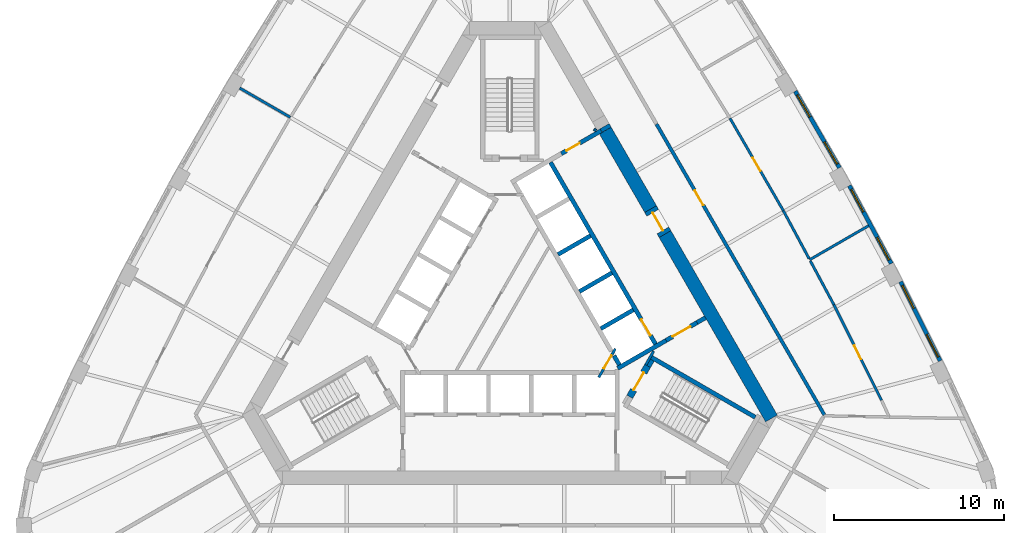
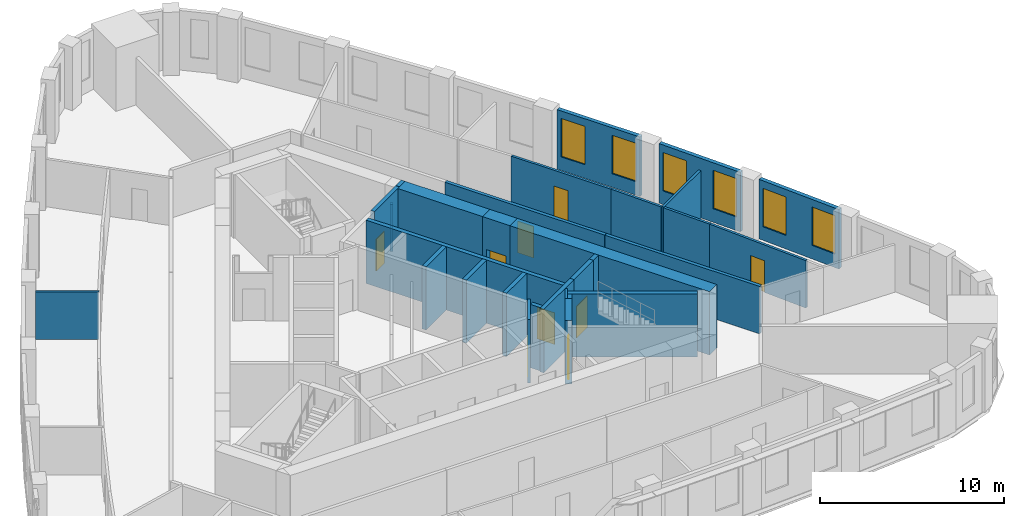
# One storey, part 7 of 10: 30 walls, 9 doors, 6 windows, 15 openings.
"""IFC4 building model written with IfcOpenShell, lengths in metres."""

from ifc_helpers import new_model, si_unit, direction, frame, frame_2d, origin, place, context, subcontext, project, spatial, polyline, rectangle, outline, extrude, material, layer, layer_set, type_object, element, fill, save


model = new_model("IFC4")

# Units and contexts
model_context = context("Model", 3, precision=1e-05, world=origin(), true_north=direction((0.0, 1.0)))
body_context = subcontext(model_context, "Body", "Model", "MODEL_VIEW")
ifc_project = project(units=[si_unit("LENGTHUNIT", "METRE"), si_unit("AREAUNIT", "SQUARE_METRE"), si_unit("VOLUMEUNIT", "CUBIC_METRE"), si_unit("PLANEANGLEUNIT", "RADIAN"), si_unit("MASSUNIT", "GRAM", prefix="KILO")], contexts=[model_context])

# Site, building, storey
site_placement = place(None, origin())
site = spatial("IfcSite", under=ifc_project, at=site_placement, CompositionType="ELEMENT")
building_placement = place(site_placement, origin())
building = spatial("IfcBuilding", under=site, at=building_placement, Name="Mestral Congress Tower", CompositionType="ELEMENT")
storey_placement = place(building_placement, frame((0.0, 0.0, 150.0)))
storey = spatial("IfcBuildingStorey", under=building, at=storey_placement, Name="L35", CompositionType="ELEMENT", Elevation=150.0)

# Walls
ifc_material_1 = material(Name="Fire-rated board partition")
ifc_layer_1 = layer(ifc_material_1, 0.14990234375)
ifc_layer_set_1 = layer_set([ifc_layer_1], Name="Fire-rated board partition")
wall_type_1 = type_object("IfcWallType", Name="Core partition 150", PredefinedType="PARTITIONING", material=ifc_layer_set_1)
wall_1_placement = place(storey_placement, frame((4.97998046875, 10.35791015625, 0.0), z_axis=(0.0, 0.0, 1.0), x_axis=(0.500640202437, 0.86565546709, 0.0)))
element("IfcWall", 1, at=wall_1_placement, inside=storey, type_object=wall_type_1, Name="L35 core wall", PredefinedType="PARTITIONING", context=body_context, shape_type="SweptSolid", body=[
    extrude(rectangle(XDim=0.145751953125, YDim=0.14990234375, at=frame_2d((0.07275390625, 0.0))), origin(), (0.0, 0.0, 1.0), 3.14990234375),
])
ifc_material_2 = material(Name="Concrete C60/75", Category="concrete")
ifc_layer_2 = layer(ifc_material_2, 0.800048828125)
ifc_layer_set_2 = layer_set([ifc_layer_2], Name="Concrete C60/75")
wall_type_2 = type_object("IfcWallType", Name="Core wall RC 800", PredefinedType="SOLIDWALL", material=ifc_layer_set_2)
wall_2_placement = place(storey_placement, frame((9.128662109375, 4.288818359375, 0.0), z_axis=(0.0, 0.0, 1.0), x_axis=(0.499995742806, -0.866027861663, 0.0)))
element("IfcWall", 2, at=wall_2_placement, inside=storey, type_object=wall_type_2, Name="L35 core wall", PredefinedType="SOLIDWALL", context=body_context, shape_type="SweptSolid", body=[
    extrude(rectangle(XDim=12.52734375, YDim=0.800048828125, at=frame_2d((6.263671875, 0.0))), origin(), (0.0, 0.0, 1.0), 4.199951171875),
])
wall_3_placement = place(storey_placement, frame((5.614501953125, 10.37548828125, 0.0), z_axis=(0.0, 0.0, 1.0), x_axis=(0.500002746266, -0.866023818221, 0.0)))
element("IfcWall", 3, at=wall_3_placement, inside=storey, type_object=wall_type_2, Name="L35 core wall", PredefinedType="SOLIDWALL", context=body_context, shape_type="SweptSolid", body=[
    extrude(rectangle(XDim=5.328125, YDim=0.800048828125, at=frame_2d((2.6640625, 0.0))), origin(), (0.0, 0.0, 1.0), 4.199951171875),
])
wall_4_placement = place(storey_placement, origin())
element("IfcWall", 4, at=wall_4_placement, inside=storey, type_object=wall_type_2, Name="L35 core wall", PredefinedType="SOLIDWALL", context=body_context, shape_type="SweptSolid", body=[
    extrude(outline(polyline([(5.431640625, 10.272216796875), (5.3076171875, 10.48681640625), (5.8359375, 10.7919921875), (5.9599609375, 10.5771484375), (5.431640625, 10.272216796875)])), origin(), (0.0, 0.0, 1.0), 4.199951171875),
])

# Wall, opening, door
wall_5_placement = place(storey_placement, frame((8.278564453125, 5.760986328125, 0.0), z_axis=(0.0, 0.0, 1.0), x_axis=(0.500062241894, -0.865989465428, 0.0)))
wall_5 = element("IfcWall", 5, at=wall_5_placement, inside=storey, type_object=wall_type_2, Name="L35 door wall", PredefinedType="SOLIDWALL", context=body_context, shape_type="SweptSolid", body=[
    extrude(rectangle(XDim=1.699951171875, YDim=0.800048828125, at=frame_2d((0.85009765625, 0.0))), origin(), (0.0, 0.0, 1.0), 4.199951171875),
])
opening_1_placement = place(wall_5_placement, frame((0.25, 0.0, 0.0)))
opening_1 = element("IfcOpeningElement", 6, at=opening_1_placement, cuts=wall_5, Name="Opening XDL", PredefinedType="OPENING", context=body_context, shape_type="SweptSolid", body=[
    extrude(rectangle(XDim=1.199951171875, YDim=2.10009765625, at=frame_2d((0.60009765625, 1.050048828125))), frame((0.0, 0.409912109375, 0.0), z_axis=(0.0, -1.0, 0.0), x_axis=(1.0, 0.0, 0.0)), (0.0, 0.0, 1.0), 0.820068359375),
])
ifc_material_3 = material(Name="Fire-rated steel door set", Category="steel")
door_type_1 = type_object("IfcDoorType", Name="Core door XD 1200x2100", OperationType="SINGLE_SWING_LEFT", PredefinedType="DOOR", material=ifc_material_3)
door_1_placement = place(opening_1_placement, origin())
door_1 = element("IfcDoor", 7, at=door_1_placement, inside=storey, type_object=door_type_1, Name="Door XDL", OperationType="SINGLE_SWING_LEFT", OverallHeight=2.10009765625, OverallWidth=1.199951171875, PredefinedType="DOOR", context=body_context, shape_type="SweptSolid", body=[
    extrude(rectangle(XDim=1.199951171875, YDim=2.10009765625, at=frame_2d((0.60009765625, 1.050048828125))), frame((0.0, 0.02490234375, 0.0), z_axis=(0.0, -1.0, 0.0), x_axis=(1.0, 0.0, 0.0)), (0.0, 0.0, 1.0), 0.050048828125),
])
fill(opening_1, door_1)

# Wall, openings, windows
ifc_material_4 = material(Name="Precast concrete C40/50 with limestone facing", Category="masonry")
ifc_layer_3 = layer(ifc_material_4, 0.239990234375)
ifc_layer_set_3 = layer_set([ifc_layer_3], Name="Precast concrete C40/50 with limestone facing")
wall_type_3 = type_object("IfcWallType", Name="Facade stone wall 240", PredefinedType="SOLIDWALL", material=ifc_layer_set_3)
wall_6_placement = place(storey_placement, frame((25.31591796875, -3.17138671875, 0.0), z_axis=(0.0, 0.0, 1.0), x_axis=(-0.446256171312, 0.8949052629, 0.0)))
wall_6 = element("IfcWall", 8, at=wall_6_placement, inside=storey, type_object=wall_type_3, Name="Facade wall F1-01", PredefinedType="SOLIDWALL", context=body_context, shape_type="SweptSolid", body=[
    extrude(rectangle(XDim=5.203369140625, YDim=0.239990234375, at=frame_2d((2.6015625, 0.0))), origin(), (0.0, 0.0, 1.0), 3.949951171875),
])
opening_2_placement = place(wall_6_placement, frame((0.248291015625, 0.0, 0.89990234375)))
opening_2 = element("IfcOpeningElement", 9, at=opening_2_placement, cuts=wall_6, Name="Opening W4", PredefinedType="OPENING", context=body_context, shape_type="SweptSolid", body=[
    extrude(rectangle(XDim=1.5, YDim=2.550048828125, at=frame_2d((0.75, 1.27490234375))), frame((0.0, 0.1298828125, 0.0), z_axis=(0.0, -1.0, 0.0), x_axis=(1.0, 0.0, 0.0)), (0.0, 0.0, 1.0), 0.260009765625),
])
opening_3_placement = place(wall_6_placement, frame((3.455078125, 0.0, 0.89990234375)))
opening_3 = element("IfcOpeningElement", 10, at=opening_3_placement, cuts=wall_6, Name="Opening W4", PredefinedType="OPENING", context=body_context, shape_type="SweptSolid", body=[
    extrude(rectangle(XDim=1.5, YDim=2.550048828125, at=frame_2d((0.75, 1.27490234375))), frame((0.0, 0.1298828125, 0.0), z_axis=(0.0, -1.0, 0.0), x_axis=(1.0, 0.0, 0.0)), (0.0, 0.0, 1.0), 0.260009765625),
])
ifc_material_5 = material(Name="Clear low-emissivity double glazing", Category="glass")
window_type = type_object("IfcWindowType", Name="Facade punched window 1500 x 2550 sill 900", PartitioningType="SINGLE_PANEL", PredefinedType="WINDOW", material=ifc_material_5)
window_1_placement = place(opening_2_placement, origin())
window_1 = element("IfcWindow", 11, at=window_1_placement, inside=storey, type_object=window_type, Name="Window F1-01a", OverallHeight=2.550048828125, OverallWidth=1.5, PartitioningType="SINGLE_PANEL", PredefinedType="WINDOW", context=body_context, shape_type="SweptSolid", body=[
    extrude(rectangle(XDim=1.5, YDim=2.550048828125, at=frame_2d((0.75, 1.27490234375))), frame((0.0, 0.0400390625, 0.0), z_axis=(0.0, -1.0, 0.0), x_axis=(1.0, 0.0, 0.0)), (0.0, 0.0, 1.0), 0.06005859375),
])
fill(opening_2, window_1)
window_2_placement = place(opening_3_placement, origin())
window_2 = element("IfcWindow", 12, at=window_2_placement, inside=storey, type_object=window_type, Name="Window F1-01b", OverallHeight=2.550048828125, OverallWidth=1.5, PartitioningType="SINGLE_PANEL", PredefinedType="WINDOW", context=body_context, shape_type="SweptSolid", body=[
    extrude(rectangle(XDim=1.5, YDim=2.550048828125, at=frame_2d((0.75, 1.27490234375))), frame((0.0, 0.0400390625, 0.0), z_axis=(0.0, -1.0, 0.0), x_axis=(1.0, 0.0, 0.0)), (0.0, 0.0, 1.0), 0.06005859375),
])
fill(opening_3, window_2)

wall_7_placement = place(storey_placement, frame((22.43994140625, 2.554931640625, 0.0), z_axis=(0.0, 0.0, 1.0), x_axis=(-0.473349833294, 0.880874528704, 0.0)))
wall_7 = element("IfcWall", 13, at=wall_7_placement, inside=storey, type_object=wall_type_3, Name="Facade wall F1-02", PredefinedType="SOLIDWALL", context=body_context, shape_type="SweptSolid", body=[
    extrude(rectangle(XDim=5.20361328125, YDim=0.239990234375, at=frame_2d((2.601806640625, 0.0))), origin(), (0.0, 0.0, 1.0), 3.949951171875),
])
opening_4_placement = place(wall_7_placement, frame((0.248291015625, 0.0, 0.89990234375)))
opening_4 = element("IfcOpeningElement", 14, at=opening_4_placement, cuts=wall_7, Name="Opening W4", PredefinedType="OPENING", context=body_context, shape_type="SweptSolid", body=[
    extrude(rectangle(XDim=1.5, YDim=2.550048828125, at=frame_2d((0.75, 1.27490234375))), frame((0.0, 0.1298828125, 0.0), z_axis=(0.0, -1.0, 0.0), x_axis=(1.0, 0.0, 0.0)), (0.0, 0.0, 1.0), 0.260009765625),
])
opening_5_placement = place(wall_7_placement, frame((3.455078125, 0.0, 0.89990234375)))
opening_5 = element("IfcOpeningElement", 15, at=opening_5_placement, cuts=wall_7, Name="Opening W4", PredefinedType="OPENING", context=body_context, shape_type="SweptSolid", body=[
    extrude(rectangle(XDim=1.5, YDim=2.550048828125, at=frame_2d((0.75, 1.27490234375))), frame((0.0, 0.1298828125, 0.0), z_axis=(0.0, -1.0, 0.0), x_axis=(1.0, 0.0, 0.0)), (0.0, 0.0, 1.0), 0.260009765625),
])
window_3_placement = place(opening_4_placement, origin())
window_3 = element("IfcWindow", 16, at=window_3_placement, inside=storey, type_object=window_type, Name="Window F1-02a", OverallHeight=2.550048828125, OverallWidth=1.5, PartitioningType="SINGLE_PANEL", PredefinedType="WINDOW", context=body_context, shape_type="SweptSolid", body=[
    extrude(rectangle(XDim=1.5, YDim=2.550048828125, at=frame_2d((0.75, 1.27490234375))), frame((0.0, 0.0400390625, 0.0), z_axis=(0.0, -1.0, 0.0), x_axis=(1.0, 0.0, 0.0)), (0.0, 0.0, 1.0), 0.06005859375),
])
fill(opening_4, window_3)
window_4_placement = place(opening_5_placement, origin())
window_4 = element("IfcWindow", 17, at=window_4_placement, inside=storey, type_object=window_type, Name="Window F1-02b", OverallHeight=2.550048828125, OverallWidth=1.5, PartitioningType="SINGLE_PANEL", PredefinedType="WINDOW", context=body_context, shape_type="SweptSolid", body=[
    extrude(rectangle(XDim=1.5, YDim=2.550048828125, at=frame_2d((0.75, 1.27490234375))), frame((0.0, 0.0400390625, 0.0), z_axis=(0.0, -1.0, 0.0), x_axis=(1.0, 0.0, 0.0)), (0.0, 0.0, 1.0), 0.06005859375),
])
fill(opening_5, window_4)

wall_8_placement = place(storey_placement, frame((19.390625, 8.19091796875, 0.0), z_axis=(0.0, 0.0, 1.0), x_axis=(-0.500009456303, 0.866019944116, 0.0)))
wall_8 = element("IfcWall", 18, at=wall_8_placement, inside=storey, type_object=wall_type_3, Name="Facade wall F1-03", PredefinedType="SOLIDWALL", context=body_context, shape_type="SweptSolid", body=[
    extrude(rectangle(XDim=5.20361328125, YDim=0.239990234375, at=frame_2d((2.601806640625, 0.0))), origin(), (0.0, 0.0, 1.0), 3.949951171875),
])
opening_6_placement = place(wall_8_placement, frame((0.248291015625, 0.0, 0.89990234375)))
opening_6 = element("IfcOpeningElement", 19, at=opening_6_placement, cuts=wall_8, Name="Opening W4", PredefinedType="OPENING", context=body_context, shape_type="SweptSolid", body=[
    extrude(rectangle(XDim=1.5, YDim=2.550048828125, at=frame_2d((0.75, 1.27490234375))), frame((0.0, 0.1298828125, 0.0), z_axis=(0.0, -1.0, 0.0), x_axis=(1.0, 0.0, 0.0)), (0.0, 0.0, 1.0), 0.260009765625),
])
opening_7_placement = place(wall_8_placement, frame((3.455078125, 0.0, 0.89990234375)))
opening_7 = element("IfcOpeningElement", 20, at=opening_7_placement, cuts=wall_8, Name="Opening W4", PredefinedType="OPENING", context=body_context, shape_type="SweptSolid", body=[
    extrude(rectangle(XDim=1.5, YDim=2.550048828125, at=frame_2d((0.75, 1.27490234375))), frame((0.0, 0.1298828125, 0.0), z_axis=(0.0, -1.0, 0.0), x_axis=(1.0, 0.0, 0.0)), (0.0, 0.0, 1.0), 0.260009765625),
])
window_5_placement = place(opening_6_placement, origin())
window_5 = element("IfcWindow", 21, at=window_5_placement, inside=storey, type_object=window_type, Name="Window F1-03a", OverallHeight=2.550048828125, OverallWidth=1.5, PartitioningType="SINGLE_PANEL", PredefinedType="WINDOW", context=body_context, shape_type="SweptSolid", body=[
    extrude(rectangle(XDim=1.5, YDim=2.550048828125, at=frame_2d((0.75, 1.27490234375))), frame((0.0, 0.0400390625, 0.0), z_axis=(0.0, -1.0, 0.0), x_axis=(1.0, 0.0, 0.0)), (0.0, 0.0, 1.0), 0.06005859375),
])
fill(opening_6, window_5)
window_6_placement = place(opening_7_placement, origin())
window_6 = element("IfcWindow", 22, at=window_6_placement, inside=storey, type_object=window_type, Name="Window F1-03b", OverallHeight=2.550048828125, OverallWidth=1.5, PartitioningType="SINGLE_PANEL", PredefinedType="WINDOW", context=body_context, shape_type="SweptSolid", body=[
    extrude(rectangle(XDim=1.5, YDim=2.550048828125, at=frame_2d((0.75, 1.27490234375))), frame((0.0, 0.0400390625, 0.0), z_axis=(0.0, -1.0, 0.0), x_axis=(1.0, 0.0, 0.0)), (0.0, 0.0, 1.0), 0.06005859375),
])
fill(opening_7, window_6)

# Wall
ifc_material_6 = material(Name="Plasterboard partition on steel studs", Category="steel")
ifc_layer_4 = layer(ifc_material_6, 0.14990234375)
ifc_layer_set_4 = layer_set([ifc_layer_4], Name="Plasterboard partition on steel studs")
wall_type_4 = type_object("IfcWallType", Name="Office partition 150", PredefinedType="PARTITIONING", material=ifc_layer_set_4)
wall_9_placement = place(storey_placement, frame((17.64111328125, 2.78125, 0.0), z_axis=(0.0, 0.0, 1.0), x_axis=(0.866053520969, 0.499951296445, 0.0)))
element("IfcWall", 23, at=wall_9_placement, inside=storey, type_object=wall_type_4, Name="Partition", PredefinedType="PARTITIONING", context=body_context, shape_type="SweptSolid", body=[
    extrude(rectangle(XDim=4.001953125, YDim=0.14990234375, at=frame_2d((2.0009765625, 0.0))), origin(), (0.0, 0.0, 1.0), 3.14990234375),
])

# Wall, opening, door
wall_10_placement = place(storey_placement, frame((19.066162109375, 0.12939453125, 0.0), z_axis=(0.0, 0.0, 1.0), x_axis=(0.446202922071, -0.89493181435, 0.0)))
wall_10 = element("IfcWall", 24, at=wall_10_placement, inside=storey, type_object=wall_type_4, Name="Partition", PredefinedType="PARTITIONING", context=body_context, shape_type="SweptSolid", body=[
    extrude(rectangle(XDim=6.282470703125, YDim=0.14990234375, at=frame_2d((3.14111328125, 0.0))), origin(), (0.0, 0.0, 1.0), 3.14990234375),
])
opening_8_placement = place(wall_10_placement, frame((2.6826171875, 0.0, 0.0)))
opening_8 = element("IfcOpeningElement", 25, at=opening_8_placement, cuts=wall_10, Name="Opening O01-008", PredefinedType="OPENING", context=body_context, shape_type="SweptSolid", body=[
    extrude(rectangle(XDim=0.89990234375, YDim=2.10009765625, at=frame_2d((0.449951171875, 1.050048828125))), frame((0.0, 0.0849609375, 0.0), z_axis=(0.0, -1.0, 0.0), x_axis=(1.0, 0.0, 0.0)), (0.0, 0.0, 1.0), 0.169921875),
])
ifc_material_7 = material(Name="Timber door set", Category="wood")
door_type_2 = type_object("IfcDoorType", Name="Office door 900x2100", OperationType="SINGLE_SWING_LEFT", PredefinedType="DOOR", material=ifc_material_7)
door_2_placement = place(opening_8_placement, origin())
door_2 = element("IfcDoor", 26, at=door_2_placement, inside=storey, type_object=door_type_2, Name="Door O01-008", OperationType="SINGLE_SWING_LEFT", OverallHeight=2.10009765625, OverallWidth=0.89990234375, PredefinedType="DOOR", context=body_context, shape_type="SweptSolid", body=[
    extrude(rectangle(XDim=0.89990234375, YDim=2.10009765625, at=frame_2d((0.449951171875, 1.050048828125))), frame((0.0, 0.02490234375, 0.0), z_axis=(0.0, -1.0, 0.0), x_axis=(1.0, 0.0, 0.0)), (0.0, 0.0, 1.0), 0.050048828125),
])
fill(opening_8, door_2)

# Walls
wall_11_placement = place(storey_placement, frame((19.066162109375, 0.12939453125, 0.0), z_axis=(0.0, 0.0, 1.0), x_axis=(-0.473335829303, 0.880882053795, 0.0)))
element("IfcWall", 27, at=wall_11_placement, inside=storey, type_object=wall_type_4, Name="Partition", PredefinedType="PARTITIONING", context=body_context, shape_type="SweptSolid", body=[
    extrude(rectangle(XDim=2.935302734375, YDim=0.14990234375, at=frame_2d((1.4677734375, 0.0))), origin(), (0.0, 0.0, 1.0), 3.14990234375),
])
wall_12_placement = place(storey_placement, frame((17.605712890625, 2.847412109375, 0.0), z_axis=(0.0, 0.0, 1.0), x_axis=(-0.473348321673, 0.880875340993, 0.0)))
element("IfcWall", 28, at=wall_12_placement, inside=storey, type_object=wall_type_4, Name="Partition", PredefinedType="PARTITIONING", context=body_context, shape_type="SweptSolid", body=[
    extrude(rectangle(XDim=3.197265625, YDim=0.14990234375, at=frame_2d((1.5986328125, 0.0))), origin(), (0.0, 0.0, 1.0), 3.14990234375),
])

# Wall, opening, door
wall_13_placement = place(storey_placement, frame((12.951171875, 11.1044921875, 0.0), z_axis=(0.0, 0.0, 1.0), x_axis=(0.499992691614, -0.866029623242, 0.0)))
wall_13 = element("IfcWall", 29, at=wall_13_placement, inside=storey, type_object=wall_type_4, Name="Partition", PredefinedType="PARTITIONING", context=body_context, shape_type="SweptSolid", body=[
    extrude(rectangle(XDim=6.2822265625, YDim=0.14990234375, at=frame_2d((3.14111328125, 0.0))), origin(), (0.0, 0.0, 1.0), 3.14990234375),
])
opening_9_placement = place(wall_13_placement, frame((2.6826171875, 0.0, 0.0)))
opening_9 = element("IfcOpeningElement", 30, at=opening_9_placement, cuts=wall_13, Name="Opening O01-009", PredefinedType="OPENING", context=body_context, shape_type="SweptSolid", body=[
    extrude(rectangle(XDim=0.89990234375, YDim=2.10009765625, at=frame_2d((0.449951171875, 1.050048828125))), frame((0.0, 0.0849609375, 0.0), z_axis=(0.0, -1.0, 0.0), x_axis=(1.0, 0.0, 0.0)), (0.0, 0.0, 1.0), 0.169921875),
])
door_3_placement = place(opening_9_placement, origin())
door_3 = element("IfcDoor", 31, at=door_3_placement, inside=storey, type_object=door_type_2, Name="Door O01-009", OperationType="SINGLE_SWING_LEFT", OverallHeight=2.10009765625, OverallWidth=0.89990234375, PredefinedType="DOOR", context=body_context, shape_type="SweptSolid", body=[
    extrude(rectangle(XDim=0.89990234375, YDim=2.10009765625, at=frame_2d((0.449951171875, 1.050048828125))), frame((0.0, 0.02490234375, 0.0), z_axis=(0.0, -1.0, 0.0), x_axis=(1.0, 0.0, 0.0)), (0.0, 0.0, 1.0), 0.050048828125),
])
fill(opening_9, door_3)

# Wall
wall_14_placement = place(storey_placement, frame((-12.91650390625, 11.16015625, 0.0), z_axis=(0.0, 0.0, 1.0), x_axis=(-0.866039125629, 0.499976232315, 0.0)))
element("IfcWall", 32, at=wall_14_placement, inside=storey, type_object=wall_type_4, Name="Partition", PredefinedType="PARTITIONING", context=body_context, shape_type="SweptSolid", body=[
    extrude(rectangle(XDim=3.442138671875, YDim=0.14990234375, at=frame_2d((1.72119140625, 0.0))), origin(), (0.0, 0.0, 1.0), 3.14990234375),
])

# Wall, opening, door
ifc_material_8 = material(Name="Dense masonry wall, plastered", Category="masonry")
ifc_layer_5 = layer(ifc_material_8, 0.199951171875)
ifc_layer_set_5 = layer_set([ifc_layer_5], Name="Dense masonry wall, plastered")
wall_type_5 = type_object("IfcWallType", Name="Office tenancy wall 200", PredefinedType="PARTITIONING", material=ifc_layer_set_5)
wall_15_placement = place(storey_placement, frame((13.63037109375, 2.09130859375, 0.0), z_axis=(0.0, 0.0, 1.0), x_axis=(-0.499990634175, 0.866030811078, 0.0)))
wall_15 = element("IfcWall", 33, at=wall_15_placement, inside=storey, type_object=wall_type_5, Name="Tenancy wall", PredefinedType="PARTITIONING", context=body_context, shape_type="SweptSolid", body=[
    extrude(rectangle(XDim=10.008056640625, YDim=0.199951171875, at=frame_2d((5.00390625, 0.0))), origin(), (0.0, 0.0, 1.0), 3.14990234375),
])
opening_10_placement = place(wall_15_placement, frame((4.5, 0.0, 0.0)))
opening_10 = element("IfcOpeningElement", 34, at=opening_10_placement, cuts=wall_15, Name="Opening O01-011", PredefinedType="OPENING", context=body_context, shape_type="SweptSolid", body=[
    extrude(rectangle(XDim=1.0, YDim=2.10009765625, at=frame_2d((0.5, 1.050048828125))), frame((0.0, 0.10986328125, 0.0), z_axis=(0.0, -1.0, 0.0), x_axis=(1.0, 0.0, 0.0)), (0.0, 0.0, 1.0), 0.219970703125),
])
ifc_material_9 = material(Name="Fire-rated timber door set", Category="wood")
door_type_3 = type_object("IfcDoorType", Name="Office tenancy entrance door 1000x2100", OperationType="SINGLE_SWING_LEFT", PredefinedType="DOOR", material=ifc_material_9)
door_4_placement = place(opening_10_placement, origin())
door_4 = element("IfcDoor", 35, at=door_4_placement, inside=storey, type_object=door_type_3, Name="Door O01-011", OperationType="SINGLE_SWING_LEFT", OverallHeight=2.10009765625, OverallWidth=1.0, PredefinedType="DOOR", context=body_context, shape_type="SweptSolid", body=[
    extrude(rectangle(XDim=1.0, YDim=2.10009765625, at=frame_2d((0.5, 1.050048828125))), frame((0.0, 0.02490234375, 0.0), z_axis=(0.0, -1.0, 0.0), x_axis=(1.0, 0.0, 0.0)), (0.0, 0.0, 1.0), 0.050048828125),
])
fill(opening_10, door_4)

# Walls
wall_16_placement = place(storey_placement, frame((18.504150390625, -6.35009765625, 0.0), z_axis=(0.0, 0.0, 1.0), x_axis=(-0.499995029582, 0.866028273438, 0.0)))
element("IfcWall", 36, at=wall_16_placement, inside=storey, type_object=wall_type_5, Name="Tenancy wall", PredefinedType="PARTITIONING", context=body_context, shape_type="SweptSolid", body=[
    extrude(rectangle(XDim=9.71728515625, YDim=0.199951171875, at=frame_2d((4.858642578125, 0.0))), origin(), (0.0, 0.0, 1.0), 3.14990234375),
])
ifc_layer_6 = layer(ifc_material_2, 0.25)
ifc_layer_set_6 = layer_set([ifc_layer_6], Name="Concrete C60/75")
wall_type_6 = type_object("IfcWallType", Name="Shaft wall RC 250", PredefinedType="SOLIDWALL", material=ifc_layer_set_6)
wall_17_placement = place(storey_placement, frame((9.190185546875, -1.96875, 0.0), z_axis=(0.0, 0.0, 1.0), x_axis=(-0.866057109641, -0.499945079824, 0.0)))
element("IfcWall", 37, at=wall_17_placement, inside=storey, type_object=wall_type_6, Name="L35 core wall", PredefinedType="SOLIDWALL", context=body_context, shape_type="SweptSolid", body=[
    extrude(rectangle(XDim=3.290771484375, YDim=0.25, at=frame_2d((1.6455078125, 0.0))), origin(), (0.0, 0.0, 1.0), 4.199951171875),
])
wall_18_placement = place(storey_placement, frame((6.1298828125, -2.867431640625, 0.0), z_axis=(0.0, 0.0, 1.0), x_axis=(0.500160776593, -0.865932559475, 0.0)))
element("IfcWall", 38, at=wall_18_placement, inside=storey, type_object=wall_type_6, Name="L35 core wall", PredefinedType="SOLIDWALL", context=body_context, shape_type="SweptSolid", body=[
    extrude(rectangle(XDim=0.626708984375, YDim=0.25, at=frame_2d((0.3134765625, 0.0))), origin(), (0.0, 0.0, 1.0), 4.199951171875),
])
wall_19_placement = place(storey_placement, frame((11.507080078125, -0.631103515625, 0.0), z_axis=(0.0, 0.0, 1.0), x_axis=(-0.866093731455, -0.499881634324, 0.0)))
element("IfcWall", 39, at=wall_19_placement, inside=storey, type_object=wall_type_6, Name="L35 core wall", PredefinedType="SOLIDWALL", context=body_context, shape_type="SweptSolid", body=[
    extrude(rectangle(XDim=0.575439453125, YDim=0.25, at=frame_2d((0.28759765625, 0.0))), origin(), (0.0, 0.0, 1.0), 4.199951171875),
])
for number, where, z_axis, x_axis, name in (
    (40, (2.833984375, 3.091064453125, 0.0), (0.0, 0.0, 1.0), (0.866008176907, 0.50002983664, 0.0), "L35 core wall"),
    (41, (4.093994140625, 0.90869140625, 0.0), (0.0, 0.0, 1.0), (0.866008176907, 0.50002983664, 0.0), "L35 core wall"),
    (42, (5.35400390625, -1.273681640625, 0.0), (0.0, 0.0, 1.0), (0.866008176907, 0.50002983664, 0.0), "L35 core wall"),
):
    element("IfcWall", number, at=place(storey_placement, frame(where, z_axis=z_axis, x_axis=x_axis)), inside=storey, type_object=wall_type_6, Name=name, PredefinedType="SOLIDWALL", context=body_context, shape_type="SweptSolid", body=[
        extrude(rectangle(XDim=2.199951171875, YDim=0.25, at=frame_2d((1.10009765625, 0.0))), origin(), (0.0, 0.0, 1.0), 4.199951171875),
    ])

# Wall, opening, door
wall_20_placement = place(storey_placement, frame((8.565185546875, -2.185302734375, 0.0), z_axis=(0.0, 0.0, 1.0), x_axis=(-0.499997954832, 0.866026584559, 0.0)))
wall_20 = element("IfcWall", 43, at=wall_20_placement, inside=storey, type_object=wall_type_6, Name="L35 door wall", PredefinedType="SOLIDWALL", context=body_context, shape_type="SweptSolid", body=[
    extrude(rectangle(XDim=12.35009765625, YDim=0.25, at=frame_2d((6.175048828125, 0.0))), origin(), (0.0, 0.0, 1.0), 4.199951171875),
])
opening_11_placement = place(wall_20_placement, frame((0.5849609375, 0.0, 0.0)))
opening_11 = element("IfcOpeningElement", 44, at=opening_11_placement, cuts=wall_20, Name="Opening LD-NEB1", PredefinedType="OPENING", context=body_context, shape_type="SweptSolid", body=[
    extrude(rectangle(XDim=1.10009765625, YDim=2.10009765625, at=frame_2d((0.550048828125, 1.050048828125))), frame((0.0, 0.135009765625, 0.0), z_axis=(0.0, -1.0, 0.0), x_axis=(1.0, 0.0, 0.0)), (0.0, 0.0, 1.0), 0.27001953125),
])
door_type_4 = type_object("IfcDoorType", Name="Core door LD 1100x2100", OperationType="DOUBLE_DOOR_SLIDING", PredefinedType="DOOR", material=ifc_material_3)
door_5_placement = place(opening_11_placement, origin())
door_5 = element("IfcDoor", 45, at=door_5_placement, inside=storey, type_object=door_type_4, Name="Door LD-NEB1", OperationType="DOUBLE_DOOR_SLIDING", OverallHeight=2.10009765625, OverallWidth=1.10009765625, PredefinedType="DOOR", context=body_context, shape_type="SweptSolid", body=[
    extrude(rectangle(XDim=1.10009765625, YDim=2.10009765625, at=frame_2d((0.550048828125, 1.050048828125))), frame((0.0, 0.02490234375, 0.0), z_axis=(0.0, -1.0, 0.0), x_axis=(1.0, 0.0, 0.0)), (0.0, 0.0, 1.0), 0.050048828125),
])
fill(opening_11, door_5)

wall_21_placement = place(storey_placement, frame((5.3662109375, 10.372802734375, 0.0), z_axis=(0.0, 0.0, 1.0), x_axis=(-0.866019956843, -0.50000943426, 0.0)))
wall_21 = element("IfcWall", 46, at=wall_21_placement, inside=storey, type_object=wall_type_6, Name="L35 door wall", PredefinedType="SOLIDWALL", context=body_context, shape_type="SweptSolid", body=[
    extrude(rectangle(XDim=2.7001953125, YDim=0.25, at=frame_2d((1.35009765625, 0.0))), origin(), (0.0, 0.0, 1.0), 4.199951171875),
])
opening_12_placement = place(wall_21_placement, frame((1.449951171875, 0.0, 0.0)))
opening_12 = element("IfcOpeningElement", 47, at=opening_12_placement, cuts=wall_21, Name="Opening TD2", PredefinedType="OPENING", context=body_context, shape_type="SweptSolid", body=[
    extrude(rectangle(XDim=0.89990234375, YDim=2.10009765625, at=frame_2d((0.449951171875, 1.050048828125))), frame((0.0, 0.135009765625, 0.0), z_axis=(0.0, -1.0, 0.0), x_axis=(1.0, 0.0, 0.0)), (0.0, 0.0, 1.0), 0.27001953125),
])
door_type_5 = type_object("IfcDoorType", Name="Core door SR 900x2100", OperationType="SINGLE_SWING_LEFT", PredefinedType="DOOR", material=ifc_material_3)
door_6_placement = place(opening_12_placement, origin())
door_6 = element("IfcDoor", 48, at=door_6_placement, inside=storey, type_object=door_type_5, Name="Door TD2", OperationType="SINGLE_SWING_LEFT", OverallHeight=2.10009765625, OverallWidth=0.89990234375, PredefinedType="DOOR", context=body_context, shape_type="SweptSolid", body=[
    extrude(rectangle(XDim=0.89990234375, YDim=2.10009765625, at=frame_2d((0.449951171875, 1.050048828125))), frame((0.0, 0.02490234375, 0.0), z_axis=(0.0, -1.0, 0.0), x_axis=(1.0, 0.0, 0.0)), (0.0, 0.0, 1.0), 0.050048828125),
])
fill(opening_12, door_6)

wall_22_placement = place(storey_placement, frame((11.0087890625, -0.918701171875, 0.0), z_axis=(0.0, 0.0, 1.0), x_axis=(-0.866059744384, -0.49994051562, 0.0)))
wall_22 = element("IfcWall", 49, at=wall_22_placement, inside=storey, type_object=wall_type_6, Name="L35 door wall", PredefinedType="SOLIDWALL", context=body_context, shape_type="SweptSolid", body=[
    extrude(rectangle(XDim=2.099853515625, YDim=0.25, at=frame_2d((1.0498046875, 0.0))), origin(), (0.0, 0.0, 1.0), 4.199951171875),
])
opening_13_placement = place(wall_22_placement, frame((0.449951171875, 0.0, 0.0)))
opening_13 = element("IfcOpeningElement", 50, at=opening_13_placement, cuts=wall_22, Name="Opening LB1-PX10", PredefinedType="OPENING", context=body_context, shape_type="SweptSolid", body=[
    extrude(rectangle(XDim=1.199951171875, YDim=2.10009765625, at=frame_2d((0.60009765625, 1.050048828125))), frame((0.0, 0.135009765625, 0.0), z_axis=(0.0, -1.0, 0.0), x_axis=(1.0, 0.0, 0.0)), (0.0, 0.0, 1.0), 0.27001953125),
])
door_type_6 = type_object("IfcDoorType", Name="Core door LB 1200x2100", OperationType="SINGLE_SWING_LEFT", PredefinedType="DOOR", material=ifc_material_3)
door_7_placement = place(opening_13_placement, origin())
door_7 = element("IfcDoor", 51, at=door_7_placement, inside=storey, type_object=door_type_6, Name="Door LB1-PX10", OperationType="SINGLE_SWING_LEFT", OverallHeight=2.10009765625, OverallWidth=1.199951171875, PredefinedType="DOOR", context=body_context, shape_type="SweptSolid", body=[
    extrude(rectangle(XDim=1.199951171875, YDim=2.10009765625, at=frame_2d((0.60009765625, 1.050048828125))), frame((0.0, 0.02490234375, 0.0), z_axis=(0.0, -1.0, 0.0), x_axis=(1.0, 0.0, 0.0)), (0.0, 0.0, 1.0), 0.050048828125),
])
fill(opening_13, door_7)

# Wall
ifc_layer_7 = layer(ifc_material_2, 0.14990234375)
ifc_layer_set_7 = layer_set([ifc_layer_7], Name="Concrete C60/75")
wall_type_7 = type_object("IfcWallType", Name="Shaft wall RC 250 door-wall 150", PredefinedType="SOLIDWALL", material=ifc_layer_set_7)
wall_23_placement = place(storey_placement, frame((8.459228515625, -2.59912109375, 0.0), z_axis=(0.0, 0.0, 1.0), x_axis=(-0.500041054325, -0.866001699761, 0.0)))
element("IfcWall", 52, at=wall_23_placement, inside=storey, type_object=wall_type_7, Name="L35 core wall", PredefinedType="PARTITIONING", context=body_context, shape_type="SweptSolid", body=[
    extrude(rectangle(XDim=0.9287109375, YDim=0.14990234375, at=frame_2d((0.46435546875, 0.0))), origin(), (0.0, 0.0, 1.0), 4.199951171875),
])

# Wall, opening, door
wall_24_placement = place(storey_placement, frame((6.203369140625, -2.45556640625, 0.0), z_axis=(0.0, 0.0, 1.0), x_axis=(-0.500043961785, -0.866000020948, 0.0)))
wall_24 = element("IfcWall", 53, at=wall_24_placement, inside=storey, type_object=wall_type_7, Name="L35 door wall", PredefinedType="PARTITIONING", context=body_context, shape_type="SweptSolid", body=[
    extrude(rectangle(XDim=1.949951171875, YDim=0.14990234375, at=frame_2d((0.97509765625, 0.0))), origin(), (0.0, 0.0, 1.0), 4.199951171875),
])
opening_14_placement = place(wall_24_placement, frame((0.449951171875, 0.0, 0.0)))
opening_14 = element("IfcOpeningElement", 54, at=opening_14_placement, cuts=wall_24, Name="Opening CD1-HUB0", PredefinedType="OPENING", context=body_context, shape_type="SweptSolid", body=[
    extrude(rectangle(XDim=0.89990234375, YDim=2.10009765625, at=frame_2d((0.449951171875, 1.050048828125))), frame((0.0, 0.0849609375, 0.0), z_axis=(0.0, -1.0, 0.0), x_axis=(1.0, 0.0, 0.0)), (0.0, 0.0, 1.0), 0.169921875),
])
door_type_7 = type_object("IfcDoorType", Name="Core door CD 900x2100", OperationType="SINGLE_SWING_LEFT", PredefinedType="DOOR", material=ifc_material_3)
door_8_placement = place(opening_14_placement, origin())
door_8 = element("IfcDoor", 55, at=door_8_placement, inside=storey, type_object=door_type_7, Name="Door CD1-HUB0", OperationType="SINGLE_SWING_LEFT", OverallHeight=2.10009765625, OverallWidth=0.89990234375, PredefinedType="DOOR", context=body_context, shape_type="SweptSolid", body=[
    extrude(rectangle(XDim=0.89990234375, YDim=2.10009765625, at=frame_2d((0.449951171875, 1.050048828125))), frame((0.0, 0.02490234375, 0.0), z_axis=(0.0, -1.0, 0.0), x_axis=(1.0, 0.0, 0.0)), (0.0, 0.0, 1.0), 0.050048828125),
])
fill(opening_14, door_8)

# Walls
ifc_layer_8 = layer(ifc_material_2, 0.25)
ifc_layer_set_8 = layer_set([ifc_layer_8], Name="Concrete C60/75")
wall_type_8 = type_object("IfcWallType", Name="Stair wall RC 250", PredefinedType="SOLIDWALL", material=ifc_layer_set_8)
wall_25_placement = place(storey_placement, frame((8.33447265625, -2.96435546875, 0.0), z_axis=(0.0, 0.0, 1.0), x_axis=(0.866016039709, -0.500016218704, 0.0)))
element("IfcWall", 56, at=wall_25_placement, inside=storey, type_object=wall_type_8, Name="L35 core wall", PredefinedType="SOLIDWALL", context=body_context, shape_type="SweptSolid", body=[
    extrude(rectangle(XDim=7.050048828125, YDim=0.25, at=frame_2d((3.52490234375, 0.0))), origin(), (0.0, 0.0, 1.0), 4.199951171875),
])
wall_26_placement = place(storey_placement, frame((8.167724609375, -3.503173828125, 0.0), z_axis=(0.0, 0.0, 1.0), x_axis=(0.49972245349, 0.866185586049, 0.0)))
element("IfcWall", 57, at=wall_26_placement, inside=storey, type_object=wall_type_8, Name="L35 core wall", PredefinedType="SOLIDWALL", context=body_context, shape_type="SweptSolid", body=[
    extrude(rectangle(XDim=0.425048828125, YDim=0.25, at=frame_2d((0.21240234375, 0.0))), origin(), (0.0, 0.0, 1.0), 4.199951171875),
])

# Wall, opening, door
ifc_layer_9 = layer(ifc_material_2, 0.39990234375)
ifc_layer_set_9 = layer_set([ifc_layer_9], Name="Concrete C60/75")
wall_type_9 = type_object("IfcWallType", Name="Stair wall RC 250 door-wall 400", PredefinedType="SOLIDWALL", material=ifc_layer_set_9)
wall_27_placement = place(storey_placement, frame((7.052734375, -5.2841796875, 0.0), z_axis=(0.0, 0.0, 1.0), x_axis=(0.500078061341, 0.865980330357, 0.0)))
wall_27 = element("IfcWall", 58, at=wall_27_placement, inside=storey, type_object=wall_type_9, Name="L35 door wall", PredefinedType="SOLIDWALL", context=body_context, shape_type="SweptSolid", body=[
    extrude(rectangle(XDim=2.099853515625, YDim=0.39990234375, at=frame_2d((1.0498046875, 0.0))), origin(), (0.0, 0.0, 1.0), 4.199951171875),
])
opening_15_placement = place(wall_27_placement, frame((0.449951171875, 0.0, 0.0)))
opening_15 = element("IfcOpeningElement", 59, at=opening_15_placement, cuts=wall_27, Name="Opening ST-D1", PredefinedType="OPENING", context=body_context, shape_type="SweptSolid", body=[
    extrude(rectangle(XDim=1.199951171875, YDim=2.10009765625, at=frame_2d((0.60009765625, 1.050048828125))), frame((0.0, 0.2099609375, 0.0), z_axis=(0.0, -1.0, 0.0), x_axis=(1.0, 0.0, 0.0)), (0.0, 0.0, 1.0), 0.419921875),
])
door_type_8 = type_object("IfcDoorType", Name="Core door ST 1200x2100", OperationType="SINGLE_SWING_LEFT", PredefinedType="DOOR", material=ifc_material_3)
door_9_placement = place(opening_15_placement, origin())
door_9 = element("IfcDoor", 60, at=door_9_placement, inside=storey, type_object=door_type_8, Name="Door ST-D1", OperationType="SINGLE_SWING_LEFT", OverallHeight=2.10009765625, OverallWidth=1.199951171875, PredefinedType="DOOR", context=body_context, shape_type="SweptSolid", body=[
    extrude(rectangle(XDim=1.199951171875, YDim=2.10009765625, at=frame_2d((0.60009765625, 1.050048828125))), frame((0.0, 0.02490234375, 0.0), z_axis=(0.0, -1.0, 0.0), x_axis=(1.0, 0.0, 0.0)), (0.0, 0.0, 1.0), 0.050048828125),
])
fill(opening_15, door_9)

save(model, "model.ifc")
